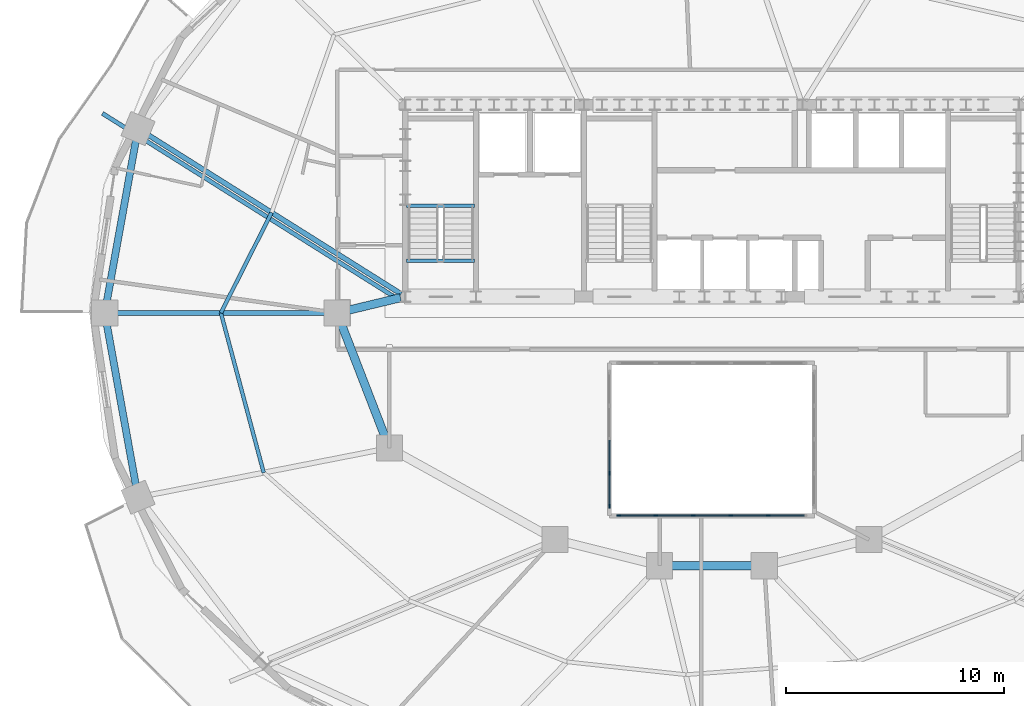
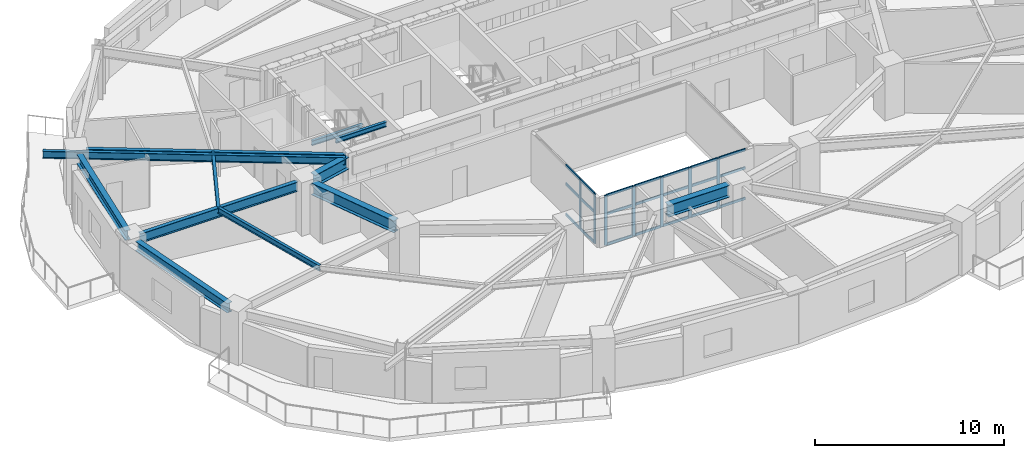
# One storey, part 2 of 13: 28 members, 12 beams, 2 elements without a shape of their own.
"""IFC4 building model written with IfcOpenShell, lengths in metres."""

from ifc_helpers import new_model, si_unit, direction, frame, origin, origin_2d, place, context, subcontext, project, spatial, rectangle, i_section, extrude, material, material_profile, profile_set, type_object, element, aggregate, save


model = new_model("IFC4")

# Units and contexts
model_context = context("Model", 3, precision=1e-05, world=origin(), true_north=direction((0.0, 1.0)))
body_context = subcontext(model_context, "Body", "Model", "MODEL_VIEW")
ifc_project = project(units=[si_unit("LENGTHUNIT", "METRE"), si_unit("AREAUNIT", "SQUARE_METRE"), si_unit("VOLUMEUNIT", "CUBIC_METRE"), si_unit("PLANEANGLEUNIT", "RADIAN"), si_unit("MASSUNIT", "GRAM", prefix="KILO")], contexts=[model_context])

# Site, building, storey
site_placement = place(None, origin())
site = spatial("IfcSite", under=ifc_project, at=site_placement, CompositionType="ELEMENT")
building_placement = place(site_placement, origin())
building = spatial("IfcBuilding", under=site, at=building_placement, Name="Haldorwick Loom Tower", CompositionType="ELEMENT")
storey_placement = place(building_placement, frame((0.0, 0.0, 120.800048828125)))
storey = spatial("IfcBuildingStorey", under=building, at=storey_placement, Name="L32", CompositionType="ELEMENT", Elevation=120.800048828125)

# Curtain wall, members
ifc_material_1 = material(Name="Thermally Broken Anodized Aluminium Curtain Wall Framing", Category="aluminium")
curtain_wall_type = type_object("IfcCurtainWallType", Name="ARC-CW-03", PredefinedType="NOTDEFINED", material=ifc_material_1)
curtain_wall_1_placement = place(storey_placement, origin())
curtain_wall_1 = element("IfcCurtainWall", 1, at=curtain_wall_1_placement, inside=storey, type_object=curtain_wall_type, Name="L32 Atrium Glazed Screen S", PredefinedType="NOTDEFINED")
ifc_material_profile_1 = material_profile(ifc_material_1, rectangle(XDim=0.06591796875, YDim=0.18505859375, at=origin_2d()), Name="ALU_MUL_66X185", Category="aluminium")
ifc_profile_set_1 = profile_set([ifc_material_profile_1], Name="Thermally Broken Anodized Aluminium Curtain Wall Framing")
member_type_1 = type_object("IfcMemberType", Name="ARC-CWM-03", PredefinedType="MULLION", material=ifc_profile_set_1)
member_1_placement = place(storey_placement, frame((38.580078125, 16.699951171875, 0.0), z_axis=(0.0, 0.0, 1.0), x_axis=(0.0, -1.0, 0.0)))
member_1 = element("IfcMember", 2, at=member_1_placement, type_object=member_type_1, Name="CW-03 mullion 2", PredefinedType="MULLION", context=body_context, shape_type="SweptSolid", body=[
    extrude(rectangle(XDim=0.06591796875, YDim=0.18505859375, at=origin_2d()), origin(), (0.0, 0.0, 1.0), 3.2099609375),
])
member_2_placement = place(storey_placement, frame((36.860107421875, 16.699951171875, 0.0), z_axis=(0.0, 0.0, 1.0), x_axis=(0.0, -1.0, 0.0)))
member_2 = element("IfcMember", 3, at=member_2_placement, type_object=member_type_1, Name="CW-03 mullion 3", PredefinedType="MULLION", context=body_context, shape_type="SweptSolid", body=[
    extrude(rectangle(XDim=0.06591796875, YDim=0.18505859375, at=origin_2d()), origin(), (0.0, 0.0, 1.0), 3.2099609375),
])
member_3_placement = place(storey_placement, frame((35.139892578125, 16.699951171875, 0.0), z_axis=(0.0, 0.0, 1.0), x_axis=(0.0, -1.0, 0.0)))
member_3 = element("IfcMember", 4, at=member_3_placement, type_object=member_type_1, Name="CW-03 mullion 4", PredefinedType="MULLION", context=body_context, shape_type="SweptSolid", body=[
    extrude(rectangle(XDim=0.06591796875, YDim=0.18505859375, at=origin_2d()), origin(), (0.0, 0.0, 1.0), 3.2099609375),
])
member_4_placement = place(storey_placement, frame((33.419921875, 16.699951171875, 0.0), z_axis=(0.0, 0.0, 1.0), x_axis=(0.0, -1.0, 0.0)))
member_4 = element("IfcMember", 5, at=member_4_placement, type_object=member_type_1, Name="CW-03 mullion 5", PredefinedType="MULLION", context=body_context, shape_type="SweptSolid", body=[
    extrude(rectangle(XDim=0.06591796875, YDim=0.18505859375, at=origin_2d()), origin(), (0.0, 0.0, 1.0), 3.2099609375),
])
member_5_placement = place(storey_placement, frame((31.73291015625, 16.699951171875, 0.0), z_axis=(0.0, 0.0, 1.0), x_axis=(0.0, -1.0, 0.0)))
member_5 = element("IfcMember", 6, at=member_5_placement, type_object=member_type_1, Name="CW-03 mullion 6", PredefinedType="MULLION", context=body_context, shape_type="SweptSolid", body=[
    extrude(rectangle(XDim=0.06591796875, YDim=0.18505859375, at=origin_2d()), origin(), (0.0, 0.0, 1.0), 3.2099609375),
])

curtain_wall_2_placement = place(storey_placement, origin())
curtain_wall_2 = element("IfcCurtainWall", 7, at=curtain_wall_2_placement, inside=storey, type_object=curtain_wall_type, Name="L32 Atrium Glazed Screen W", PredefinedType="NOTDEFINED")
member_6_placement = place(storey_placement, frame((31.300048828125, 17.133056640625, 0.0), z_axis=(0.0, 0.0, 1.0), x_axis=(-1.0, 0.0, 0.0)))
member_6 = element("IfcMember", 8, at=member_6_placement, type_object=member_type_1, Name="CW-03 mullion 1", PredefinedType="MULLION", context=body_context, shape_type="SweptSolid", body=[
    extrude(rectangle(XDim=0.06591796875, YDim=0.18505859375, at=origin_2d()), origin(), (0.0, 0.0, 1.0), 3.2099609375),
])
member_7_placement = place(storey_placement, frame((31.300048828125, 18.64990234375, 0.0), z_axis=(0.0, 0.0, 1.0), x_axis=(-1.0, 0.0, 0.0)))
member_7 = element("IfcMember", 9, at=member_7_placement, type_object=member_type_1, Name="CW-03 mullion 2", PredefinedType="MULLION", context=body_context, shape_type="SweptSolid", body=[
    extrude(rectangle(XDim=0.06591796875, YDim=0.18505859375, at=origin_2d()), origin(), (0.0, 0.0, 1.0), 3.2099609375),
])

# Member
ifc_material_profile_2 = material_profile(ifc_material_1, rectangle(XDim=0.06591796875, YDim=0.1650390625, at=origin_2d()), Name="ALU_TRN_66X165", Category="aluminium")
ifc_profile_set_2 = profile_set([ifc_material_profile_2], Name="Thermally Broken Anodized Aluminium Curtain Wall Framing")
member_type_2 = type_object("IfcMemberType", Name="ARC-CWT-03", PredefinedType="USERDEFINED", material=ifc_profile_set_2)
member_8_placement = place(storey_placement, frame((40.23388671875, 16.699951171875, 0.032958984375), z_axis=(-1.0, 0.0, 0.0), x_axis=(0.0, -1.0, 0.0)))
member_8 = element("IfcMember", 10, at=member_8_placement, type_object=member_type_2, Name="CW-03 transom 1.1", ObjectType="TRANSOM", PredefinedType="USERDEFINED", context=body_context, shape_type="SweptSolid", body=[
    extrude(rectangle(XDim=0.06591796875, YDim=0.1650390625, at=origin_2d()), origin(), (0.0, 0.0, 1.0), 1.620849609375),
])

member_9_placement = place(storey_placement, frame((40.23388671875, 16.699951171875, 2.0), z_axis=(-1.0, 0.0, 0.0), x_axis=(0.0, -1.0, 0.0)))
member_9 = element("IfcMember", 11, at=member_9_placement, type_object=member_type_2, Name="CW-03 transom 1.2", ObjectType="TRANSOM", PredefinedType="USERDEFINED", context=body_context, shape_type="SweptSolid", body=[
    extrude(rectangle(XDim=0.06591796875, YDim=0.1650390625, at=origin_2d()), origin(), (0.0, 0.0, 1.0), 1.620849609375),
])

member_10_placement = place(storey_placement, frame((40.23388671875, 16.699951171875, 3.177001953125), z_axis=(-1.0, 0.0, 0.0), x_axis=(0.0, -1.0, 0.0)))
member_10 = element("IfcMember", 12, at=member_10_placement, type_object=member_type_2, Name="CW-03 transom 1.3", ObjectType="TRANSOM", PredefinedType="USERDEFINED", context=body_context, shape_type="SweptSolid", body=[
    extrude(rectangle(XDim=0.06591796875, YDim=0.1650390625, at=origin_2d()), origin(), (0.0, 0.0, 1.0), 1.620849609375),
])

member_11_placement = place(storey_placement, frame((38.547119140625, 16.699951171875, 0.032958984375), z_axis=(-1.0, 0.0, 0.0), x_axis=(0.0, -1.0, 0.0)))
member_11 = element("IfcMember", 13, at=member_11_placement, type_object=member_type_2, Name="CW-03 transom 2.1", ObjectType="TRANSOM", PredefinedType="USERDEFINED", context=body_context, shape_type="SweptSolid", body=[
    extrude(rectangle(XDim=0.06591796875, YDim=0.1650390625, at=origin_2d()), origin(), (0.0, 0.0, 1.0), 1.654052734375),
])

member_12_placement = place(storey_placement, frame((38.547119140625, 16.699951171875, 2.0), z_axis=(-1.0, 0.0, 0.0), x_axis=(0.0, -1.0, 0.0)))
member_12 = element("IfcMember", 14, at=member_12_placement, type_object=member_type_2, Name="CW-03 transom 2.2", ObjectType="TRANSOM", PredefinedType="USERDEFINED", context=body_context, shape_type="SweptSolid", body=[
    extrude(rectangle(XDim=0.06591796875, YDim=0.1650390625, at=origin_2d()), origin(), (0.0, 0.0, 1.0), 1.654052734375),
])

member_13_placement = place(storey_placement, frame((38.547119140625, 16.699951171875, 3.177001953125), z_axis=(-1.0, 0.0, 0.0), x_axis=(0.0, -1.0, 0.0)))
member_13 = element("IfcMember", 15, at=member_13_placement, type_object=member_type_2, Name="CW-03 transom 2.3", ObjectType="TRANSOM", PredefinedType="USERDEFINED", context=body_context, shape_type="SweptSolid", body=[
    extrude(rectangle(XDim=0.06591796875, YDim=0.1650390625, at=origin_2d()), origin(), (0.0, 0.0, 1.0), 1.654052734375),
])

member_14_placement = place(storey_placement, frame((36.826904296875, 16.699951171875, 0.032958984375), z_axis=(-1.0, 0.0, 0.0), x_axis=(0.0, -1.0, 0.0)))
member_14 = element("IfcMember", 16, at=member_14_placement, type_object=member_type_2, Name="CW-03 transom 3.1", ObjectType="TRANSOM", PredefinedType="USERDEFINED", context=body_context, shape_type="SweptSolid", body=[
    extrude(rectangle(XDim=0.06591796875, YDim=0.1650390625, at=origin_2d()), origin(), (0.0, 0.0, 1.0), 1.65380859375),
])

member_15_placement = place(storey_placement, frame((36.826904296875, 16.699951171875, 2.0), z_axis=(-1.0, 0.0, 0.0), x_axis=(0.0, -1.0, 0.0)))
member_15 = element("IfcMember", 17, at=member_15_placement, type_object=member_type_2, Name="CW-03 transom 3.2", ObjectType="TRANSOM", PredefinedType="USERDEFINED", context=body_context, shape_type="SweptSolid", body=[
    extrude(rectangle(XDim=0.06591796875, YDim=0.1650390625, at=origin_2d()), origin(), (0.0, 0.0, 1.0), 1.65380859375),
])

member_16_placement = place(storey_placement, frame((36.826904296875, 16.699951171875, 3.177001953125), z_axis=(-1.0, 0.0, 0.0), x_axis=(0.0, -1.0, 0.0)))
member_16 = element("IfcMember", 18, at=member_16_placement, type_object=member_type_2, Name="CW-03 transom 3.3", ObjectType="TRANSOM", PredefinedType="USERDEFINED", context=body_context, shape_type="SweptSolid", body=[
    extrude(rectangle(XDim=0.06591796875, YDim=0.1650390625, at=origin_2d()), origin(), (0.0, 0.0, 1.0), 1.65380859375),
])

member_17_placement = place(storey_placement, frame((35.10693359375, 16.699951171875, 0.032958984375), z_axis=(-1.0, 0.0, 0.0), x_axis=(0.0, -1.0, 0.0)))
member_17 = element("IfcMember", 19, at=member_17_placement, type_object=member_type_2, Name="CW-03 transom 4.1", ObjectType="TRANSOM", PredefinedType="USERDEFINED", context=body_context, shape_type="SweptSolid", body=[
    extrude(rectangle(XDim=0.06591796875, YDim=0.1650390625, at=origin_2d()), origin(), (0.0, 0.0, 1.0), 1.654052734375),
])

member_18_placement = place(storey_placement, frame((35.10693359375, 16.699951171875, 2.0), z_axis=(-1.0, 0.0, 0.0), x_axis=(0.0, -1.0, 0.0)))
member_18 = element("IfcMember", 20, at=member_18_placement, type_object=member_type_2, Name="CW-03 transom 4.2", ObjectType="TRANSOM", PredefinedType="USERDEFINED", context=body_context, shape_type="SweptSolid", body=[
    extrude(rectangle(XDim=0.06591796875, YDim=0.1650390625, at=origin_2d()), origin(), (0.0, 0.0, 1.0), 1.654052734375),
])

member_19_placement = place(storey_placement, frame((35.10693359375, 16.699951171875, 3.177001953125), z_axis=(-1.0, 0.0, 0.0), x_axis=(0.0, -1.0, 0.0)))
member_19 = element("IfcMember", 21, at=member_19_placement, type_object=member_type_2, Name="CW-03 transom 4.3", ObjectType="TRANSOM", PredefinedType="USERDEFINED", context=body_context, shape_type="SweptSolid", body=[
    extrude(rectangle(XDim=0.06591796875, YDim=0.1650390625, at=origin_2d()), origin(), (0.0, 0.0, 1.0), 1.654052734375),
])

member_20_placement = place(storey_placement, frame((33.386962890625, 16.699951171875, 0.032958984375), z_axis=(-1.0, 0.0, 0.0), x_axis=(0.0, -1.0, 0.0)))
member_20 = element("IfcMember", 22, at=member_20_placement, type_object=member_type_2, Name="CW-03 transom 5.1", ObjectType="TRANSOM", PredefinedType="USERDEFINED", context=body_context, shape_type="SweptSolid", body=[
    extrude(rectangle(XDim=0.06591796875, YDim=0.1650390625, at=origin_2d()), origin(), (0.0, 0.0, 1.0), 1.620849609375),
])

member_21_placement = place(storey_placement, frame((33.386962890625, 16.699951171875, 2.0), z_axis=(-1.0, 0.0, 0.0), x_axis=(0.0, -1.0, 0.0)))
member_21 = element("IfcMember", 23, at=member_21_placement, type_object=member_type_2, Name="CW-03 transom 5.2", ObjectType="TRANSOM", PredefinedType="USERDEFINED", context=body_context, shape_type="SweptSolid", body=[
    extrude(rectangle(XDim=0.06591796875, YDim=0.1650390625, at=origin_2d()), origin(), (0.0, 0.0, 1.0), 1.620849609375),
])

member_22_placement = place(storey_placement, frame((33.386962890625, 16.699951171875, 3.177001953125), z_axis=(-1.0, 0.0, 0.0), x_axis=(0.0, -1.0, 0.0)))
member_22 = element("IfcMember", 24, at=member_22_placement, type_object=member_type_2, Name="CW-03 transom 5.3", ObjectType="TRANSOM", PredefinedType="USERDEFINED", context=body_context, shape_type="SweptSolid", body=[
    extrude(rectangle(XDim=0.06591796875, YDim=0.1650390625, at=origin_2d()), origin(), (0.0, 0.0, 1.0), 1.620849609375),
])

aggregate(curtain_wall_1, [member_1, member_2, member_3, member_4, member_5, member_8, member_9, member_10, member_11, member_12, member_13, member_14, member_15, member_16, member_17, member_18, member_19, member_20, member_21, member_22])

member_23_placement = place(storey_placement, frame((31.300048828125, 17.166015625, 0.032958984375), z_axis=(0.0, 1.0, 0.0), x_axis=(-1.0, 0.0, 0.0)))
member_23 = element("IfcMember", 25, at=member_23_placement, type_object=member_type_2, Name="CW-03 transom 1.1", ObjectType="TRANSOM", PredefinedType="USERDEFINED", context=body_context, shape_type="SweptSolid", body=[
    extrude(rectangle(XDim=0.06591796875, YDim=0.1650390625, at=origin_2d()), origin(), (0.0, 0.0, 1.0), 1.450927734375),
])

member_24_placement = place(storey_placement, frame((31.300048828125, 17.166015625, 2.0), z_axis=(0.0, 1.0, 0.0), x_axis=(-1.0, 0.0, 0.0)))
member_24 = element("IfcMember", 26, at=member_24_placement, type_object=member_type_2, Name="CW-03 transom 1.2", ObjectType="TRANSOM", PredefinedType="USERDEFINED", context=body_context, shape_type="SweptSolid", body=[
    extrude(rectangle(XDim=0.06591796875, YDim=0.1650390625, at=origin_2d()), origin(), (0.0, 0.0, 1.0), 1.450927734375),
])

member_25_placement = place(storey_placement, frame((31.300048828125, 17.166015625, 3.177001953125), z_axis=(0.0, 1.0, 0.0), x_axis=(-1.0, 0.0, 0.0)))
member_25 = element("IfcMember", 27, at=member_25_placement, type_object=member_type_2, Name="CW-03 transom 1.3", ObjectType="TRANSOM", PredefinedType="USERDEFINED", context=body_context, shape_type="SweptSolid", body=[
    extrude(rectangle(XDim=0.06591796875, YDim=0.1650390625, at=origin_2d()), origin(), (0.0, 0.0, 1.0), 1.450927734375),
])

member_26_placement = place(storey_placement, frame((31.300048828125, 18.68310546875, 0.032958984375), z_axis=(0.0, 1.0, 0.0), x_axis=(-1.0, 0.0, 0.0)))
member_26 = element("IfcMember", 28, at=member_26_placement, type_object=member_type_2, Name="CW-03 transom 2.1", ObjectType="TRANSOM", PredefinedType="USERDEFINED", context=body_context, shape_type="SweptSolid", body=[
    extrude(rectangle(XDim=0.06591796875, YDim=0.1650390625, at=origin_2d()), origin(), (0.0, 0.0, 1.0), 1.48388671875),
])

member_27_placement = place(storey_placement, frame((31.300048828125, 18.68310546875, 2.0), z_axis=(0.0, 1.0, 0.0), x_axis=(-1.0, 0.0, 0.0)))
member_27 = element("IfcMember", 29, at=member_27_placement, type_object=member_type_2, Name="CW-03 transom 2.2", ObjectType="TRANSOM", PredefinedType="USERDEFINED", context=body_context, shape_type="SweptSolid", body=[
    extrude(rectangle(XDim=0.06591796875, YDim=0.1650390625, at=origin_2d()), origin(), (0.0, 0.0, 1.0), 1.48388671875),
])

member_28_placement = place(storey_placement, frame((31.300048828125, 18.68310546875, 3.177001953125), z_axis=(0.0, 1.0, 0.0), x_axis=(-1.0, 0.0, 0.0)))
member_28 = element("IfcMember", 30, at=member_28_placement, type_object=member_type_2, Name="CW-03 transom 2.3", ObjectType="TRANSOM", PredefinedType="USERDEFINED", context=body_context, shape_type="SweptSolid", body=[
    extrude(rectangle(XDim=0.06591796875, YDim=0.1650390625, at=origin_2d()), origin(), (0.0, 0.0, 1.0), 1.48388671875),
])

aggregate(curtain_wall_2, [member_6, member_7, member_23, member_24, member_25, member_26, member_27, member_28])

# Beams
ifc_material_2 = material(Name="Steel CSA G40.21 350W", Category="steel")
ifc_material_profile_3 = material_profile(ifc_material_2, i_section(OverallWidth=0.193115234375, OverallDepth=0.466064453125, WebThickness=0.011474609375, FlangeThickness=0.01904296875, at=origin_2d()), Name="W460X97", Category="steel")
ifc_profile_set_3 = profile_set([ifc_material_profile_3], Name="Steel CSA G40.21 350W")
beam_type_1 = type_object("IfcBeamType", Name="STR-BM-BAL460", PredefinedType="BEAM", material=ifc_profile_set_3)
beam_1_placement = place(storey_placement, frame((21.590576171875, 26.6328125, 2.97705078125), z_axis=(-0.846621037802, 0.532196221662, 0.0), x_axis=(-0.532196221662, -0.846621037802, 0.0)))
element("IfcBeam", 31, at=beam_1_placement, inside=storey, type_object=beam_type_1, Name="L32 Continuous Back-Spanned Balcony Beam 3", PredefinedType="BEAM", context=body_context, shape_type="SweptSolid", body=[
    extrude(i_section(OverallWidth=0.193115234375, OverallDepth=0.466064453125, WebThickness=0.011474609375, FlangeThickness=0.01904296875, at=origin_2d()), origin(), (0.0, 0.0, 1.0), 16.0068359375),
])
ifc_material_profile_4 = material_profile(ifc_material_2, i_section(OverallWidth=0.172119140625, OverallDepth=0.35791015625, WebThickness=0.0078125, FlangeThickness=0.01318359375, at=origin_2d()), Name="W360X57", Category="steel")
ifc_profile_set_4 = profile_set([ifc_material_profile_4], Name="Steel CSA G40.21 350W")
beam_type_2 = type_object("IfcBeamType", Name="STR-BM-J360", PredefinedType="JOIST", material=ifc_profile_set_4)
beam_2_placement = place(storey_placement, frame((15.7998046875, 30.603515625, 3.031005859375), z_axis=(-0.451373231558, -0.892335254169, 0.0), x_axis=(0.892335254169, -0.451373231558, 0.0)))
element("IfcBeam", 32, at=beam_2_placement, inside=storey, type_object=beam_type_2, Name="L32 Mid-Bay Secondary Joist 8", PredefinedType="JOIST", context=body_context, shape_type="SweptSolid", body=[
    extrude(i_section(OverallWidth=0.172119140625, OverallDepth=0.35791015625, WebThickness=0.0078125, FlangeThickness=0.01318359375, at=origin_2d()), origin(), (0.0, 0.0, 1.0), 5.158935546875),
])
beam_3_placement = place(storey_placement, frame((13.47119140625, 26.0, 3.031005859375), z_axis=(0.258810072536, -0.965928230436, 0.0), x_axis=(0.965928230436, 0.258810072536, 0.0)))
element("IfcBeam", 33, at=beam_3_placement, inside=storey, type_object=beam_type_2, Name="L32 Mid-Bay Secondary Joist 9", PredefinedType="JOIST", context=body_context, shape_type="SweptSolid", body=[
    extrude(i_section(OverallWidth=0.172119140625, OverallDepth=0.35791015625, WebThickness=0.0078125, FlangeThickness=0.01318359375, at=origin_2d()), origin(), (0.0, 0.0, 1.0), 7.587158203125),
])
ifc_material_profile_5 = material_profile(ifc_material_2, i_section(OverallWidth=0.324951171875, OverallDepth=0.615966796875, WebThickness=0.013916015625, FlangeThickness=0.021484375, at=origin_2d()), Name="W610X174", Category="steel")
ifc_profile_set_5 = profile_set([ifc_material_profile_5], Name="Steel CSA G40.21 350W")
beam_type_3 = type_object("IfcBeamType", Name="STR-BM-SP610", PredefinedType="SPANDREL", material=ifc_profile_set_5)
for number, where, z_axis, x_axis, name in (
    (34, (9.576904296875, 33.945556640625, 2.90185546875), (-0.177659490888, -0.984092020747, 0.0), (0.984092020747, -0.177659490888, 0.0), "L32 Perimeter Spandrel 8"),
    (35, (8.23486328125, 25.48828125, 2.90185546875), (0.177659490888, -0.984092020747, 0.0), (0.984092020747, 0.177659490888, 0.0), "L32 Perimeter Spandrel 9"),
):
    element("IfcBeam", number, at=place(storey_placement, frame(where, z_axis=z_axis, x_axis=x_axis)), inside=storey, type_object=beam_type_3, Name=name, PredefinedType="SPANDREL", context=body_context, shape_type="SweptSolid", body=[
        extrude(i_section(OverallWidth=0.324951171875, OverallDepth=0.615966796875, WebThickness=0.013916015625, FlangeThickness=0.021484375, at=origin_2d()), origin(), (0.0, 0.0, 1.0), 7.553955078125),
    ])
ifc_material_profile_6 = material_profile(ifc_material_2, i_section(OverallWidth=0.166015625, OverallDepth=0.31298828125, WebThickness=0.006591796875, FlangeThickness=0.01123046875, at=origin_2d()), Name="W310X45", Category="steel")
ifc_profile_set_6 = profile_set([ifc_material_profile_6], Name="Steel CSA G40.21 350W")
beam_type_4 = type_object("IfcBeamType", Name="STR-BM-STRM", PredefinedType="BEAM", material=ifc_profile_set_6)
for number, where, z_axis, x_axis, name in (
    (36, (21.989990234375, 28.39990234375, 3.053466796875), (1.0, 0.0, 0.0), (0.0, 1.0, 0.0), "L32 Stair ST-01 Landing Edge Trimmer"),
    (37, (21.989990234375, 30.919921875, 1.368408203125), (1.0, 0.0, 0.0), (0.0, 1.0, 0.0), "L32 Stair ST-01 Half-Landing Trimmer 1"),
):
    element("IfcBeam", number, at=place(storey_placement, frame(where, z_axis=z_axis, x_axis=x_axis)), inside=storey, type_object=beam_type_4, Name=name, PredefinedType="BEAM", context=body_context, shape_type="SweptSolid", body=[
        extrude(i_section(OverallWidth=0.166015625, OverallDepth=0.31298828125, WebThickness=0.006591796875, FlangeThickness=0.01123046875, at=origin_2d()), origin(), (0.0, 0.0, 1.0), 3.1201171875),
    ])
ifc_material_profile_7 = material_profile(ifc_material_2, i_section(OverallWidth=0.22998046875, OverallDepth=0.616943359375, WebThickness=0.01318359375, FlangeThickness=0.022216796875, at=origin_2d()), Name="W610X140", Category="steel")
ifc_profile_set_7 = profile_set([ifc_material_profile_7], Name="Steel CSA G40.21 350W")
beam_type_5 = type_object("IfcBeamType", Name="STR-BM-W610B", PredefinedType="BEAM", material=ifc_profile_set_7)
beam_4_placement = place(storey_placement, frame((21.739501953125, 26.86962890625, 2.9013671875), z_axis=(-0.846609551433, 0.532214493811, 0.0), x_axis=(-0.532214493811, -0.846609551433, 0.0)))
element("IfcBeam", 38, at=beam_4_placement, inside=storey, type_object=beam_type_5, Name="L32 Radial Floor Girder 8", PredefinedType="BEAM", context=body_context, shape_type="SweptSolid", body=[
    extrude(i_section(OverallWidth=0.22998046875, OverallDepth=0.616943359375, WebThickness=0.01318359375, FlangeThickness=0.022216796875, at=origin_2d()), origin(), (0.0, 0.0, 1.0), 13.737060546875),
])
beam_5_placement = place(storey_placement, frame((18.280029296875, 26.0, 2.9013671875), z_axis=(-1.0, 0.0, 0.0), x_axis=(0.0, -1.0, 0.0)))
element("IfcBeam", 39, at=beam_5_placement, inside=storey, type_object=beam_type_5, Name="L32 Radial Floor Girder 9", PredefinedType="BEAM", context=body_context, shape_type="SweptSolid", body=[
    extrude(i_section(OverallWidth=0.22998046875, OverallDepth=0.616943359375, WebThickness=0.01318359375, FlangeThickness=0.022216796875, at=origin_2d()), origin(), (0.0, 0.0, 1.0), 9.61767578125),
])
ifc_material_profile_8 = material_profile(ifc_material_2, i_section(OverallWidth=0.381103515625, OverallDepth=0.77294921875, WebThickness=0.0166015625, FlangeThickness=0.027587890625, at=origin_2d()), Name="W760X257", Category="steel")
ifc_profile_set_8 = profile_set([ifc_material_profile_8], Name="Steel CSA G40.21 350W")
beam_type_6 = type_object("IfcBeamType", Name="STR-BM-W760", PredefinedType="BEAM", material=ifc_profile_set_8)
beam_6_placement = place(storey_placement, frame((37.8798828125, 14.39990234375, 2.823486328125), z_axis=(-1.0, 0.0, 0.0), x_axis=(0.0, -1.0, 0.0)))
element("IfcBeam", 40, at=beam_6_placement, inside=storey, type_object=beam_type_6, Name="L32 Inner Ring Girder 5", PredefinedType="BEAM", context=body_context, shape_type="SweptSolid", body=[
    extrude(i_section(OverallWidth=0.381103515625, OverallDepth=0.77294921875, WebThickness=0.0166015625, FlangeThickness=0.027587890625, at=origin_2d()), origin(), (0.0, 0.0, 1.0), 3.759765625),
])
beam_7_placement = place(storey_placement, frame((21.01220703125, 20.284912109375, 2.823486328125), z_axis=(-0.360964792353, 0.93257944363, 0.0), x_axis=(-0.93257944363, -0.360964792353, 0.0)))
element("IfcBeam", 41, at=beam_7_placement, inside=storey, type_object=beam_type_6, Name="L32 Inner Ring Girder 8", PredefinedType="BEAM", context=body_context, shape_type="SweptSolid", body=[
    extrude(i_section(OverallWidth=0.381103515625, OverallDepth=0.77294921875, WebThickness=0.0166015625, FlangeThickness=0.027587890625, at=origin_2d()), origin(), (0.0, 0.0, 1.0), 5.6083984375),
])
beam_8_placement = place(storey_placement, frame((19.3056640625, 26.12109375, 2.823486328125), z_axis=(0.97247055837, 0.233025777764, 0.0), x_axis=(-0.233025777764, 0.97247055837, 0.0)))
element("IfcBeam", 42, at=beam_8_placement, inside=storey, type_object=beam_type_6, Name="L32 Inner Ring Girder 9", PredefinedType="BEAM", context=body_context, shape_type="SweptSolid", body=[
    extrude(i_section(OverallWidth=0.381103515625, OverallDepth=0.77294921875, WebThickness=0.0166015625, FlangeThickness=0.027587890625, at=origin_2d()), origin(), (0.0, 0.0, 1.0), 2.4736328125),
])

save(model, "model.ifc")
